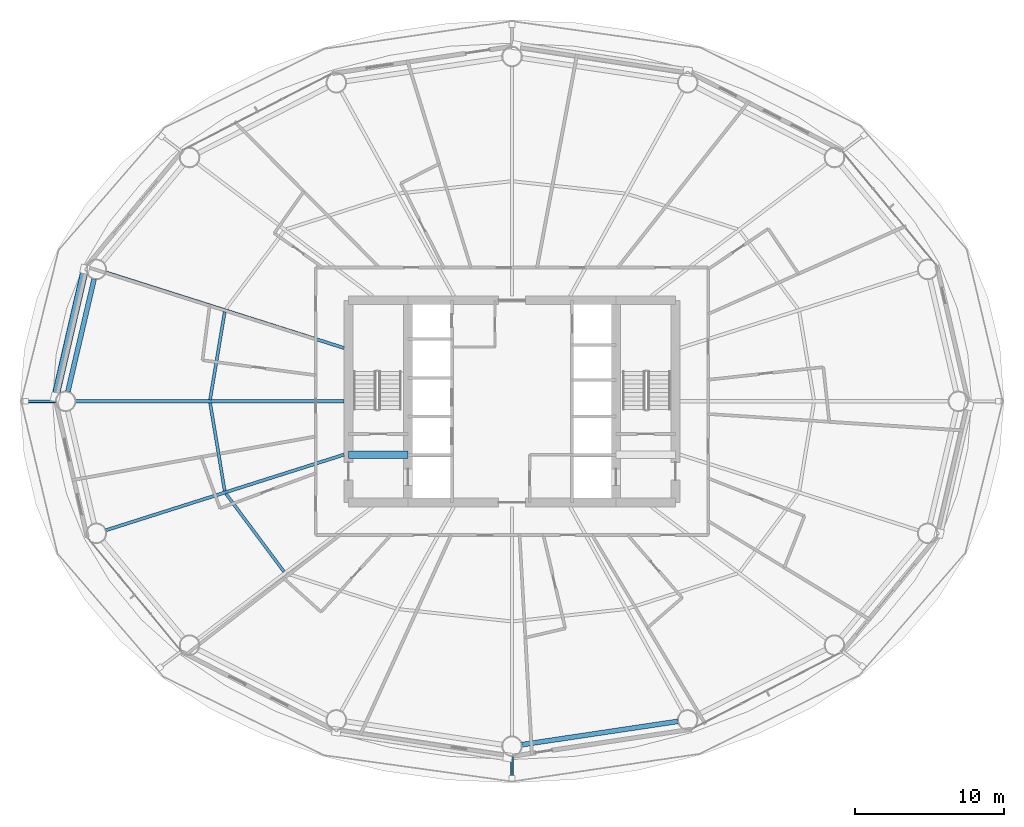
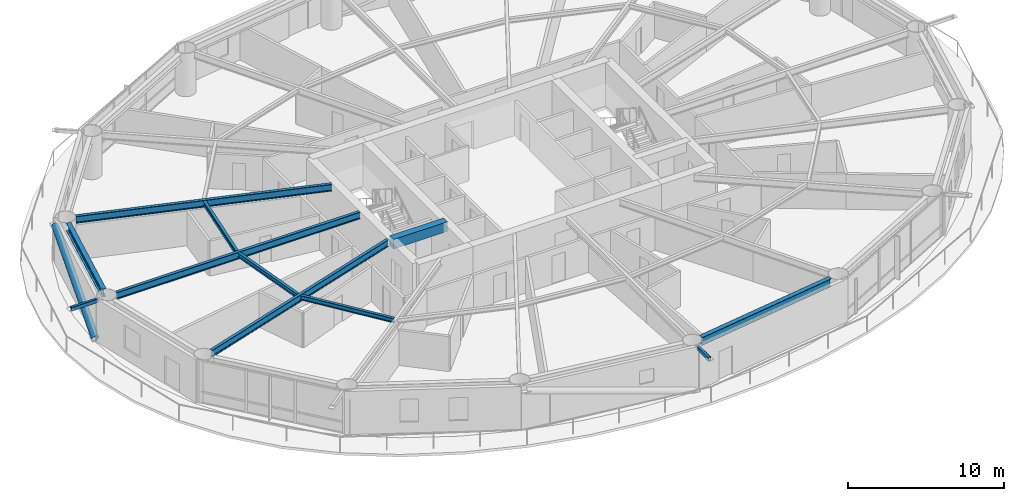
# One storey, part 5 of 26: 9 beams, 3 members.
"""IFC4 building model written with IfcOpenShell, lengths in metres."""

import ifcopenshell
import ifcopenshell.guid

model = None  # the IFC model being written
_history = None  # IfcOwnerHistory: only IFC2X3 demands one
_inside = {}  # id of a spatial element -> (the spatial element, [elements in it])
_under = {}  # id of a project, library or spatial element -> (it, [spatial elements below it])
_declared = {}  # id of a project -> (the project, [libraries it declares])
_typed = {}  # id of a type object -> (the type object, [elements of that type])
_made_of = {}  # id of a material, layer set ... -> (it, [elements and type objects made of it])


def new_model(schema):
    """Start an empty IFC model of exactly this schema.

    Asked for "IFC4X3", IfcOpenShell would pick the latest addendum, in which some entities
    have other attributes; the version numbers below select the first issue.
    IFC2X3 requires an IfcOwnerHistory on every rooted entity: one is made here for all.
    """
    global model, _history
    if schema == "IFC4X3":
        model = ifcopenshell.file(schema_version=(4, 3, 0, 0))
    else:
        model = ifcopenshell.file(schema=schema)
    _inside.clear()
    _under.clear()
    _declared.clear()
    _typed.clear()
    _made_of.clear()
    _history = None
    if model.schema == "IFC2X3":
        org = make("IfcOrganization", Name="unknown")
        user = make(
            "IfcPersonAndOrganization",
            ThePerson=make("IfcPerson", FamilyName="unknown"),
            TheOrganization=org,
        )
        app = make(
            "IfcApplication",
            ApplicationDeveloper=org,
            Version="unknown",
            ApplicationFullName="unknown",
            ApplicationIdentifier="unknown",
        )
        _history = make(
            "IfcOwnerHistory",
            OwningUser=user,
            OwningApplication=app,
            ChangeAction="ADDED",
            CreationDate=0,
        )
    return model


def make(cls, **values):
    """One entity of the class cls with the attributes given. An attribute that is None is left unset."""
    return model.create_entity(
        cls, **{name: value for name, value in values.items() if value is not None}
    )


def rooted(cls, **values):
    """An entity with a GlobalId (a new one), such as an element, a storey or a relation."""
    return make(cls, GlobalId=ifcopenshell.guid.new(), OwnerHistory=_history, **values)


def si_unit(unit_type, name, prefix=None):
    """IfcSIUnit, for example si_unit("LENGTHUNIT", "METRE", prefix="MILLI")."""
    return make("IfcSIUnit", UnitType=unit_type, Prefix=prefix, Name=name)


def assignment(units):
    """IfcUnitAssignment: the units of a project."""
    return None if units is None else make("IfcUnitAssignment", Units=units)


def point(xyz):
    """IfcCartesianPoint."""
    return None if xyz is None else make("IfcCartesianPoint", Coordinates=xyz)


def direction(xyz):
    """IfcDirection."""
    return None if xyz is None else make("IfcDirection", DirectionRatios=xyz)


def frame(location, z_axis=None, x_axis=None):
    """IfcAxis2Placement3D, a coordinate frame: its origin and axes. An axis left out is left unset."""
    return make(
        "IfcAxis2Placement3D",
        Location=point(location),
        Axis=direction(z_axis),
        RefDirection=direction(x_axis),
    )


def frame_2d(location, x_axis=None):
    """IfcAxis2Placement2D, a coordinate frame in the plane: its origin and x axis."""
    return make(
        "IfcAxis2Placement2D", Location=point(location), RefDirection=direction(x_axis)
    )


def origin():
    """The frame at (0, 0, 0) with its axes left unset."""
    return frame((0.0, 0.0, 0.0))


def origin_2d():
    """The frame at (0, 0) in the plane with its x axis left unset."""
    return frame_2d((0.0, 0.0))


def place(relative_to, where):
    """IfcLocalPlacement: puts the frame where relative to a parent placement (None: the world)."""
    return make(
        "IfcLocalPlacement", PlacementRelTo=relative_to, RelativePlacement=where
    )


def context(
    kind, dimensions, precision=None, world=None, true_north=None, identifier=None
):
    """IfcGeometricRepresentationContext, for example the 3D "Model" context."""
    return make(
        "IfcGeometricRepresentationContext",
        ContextIdentifier=identifier,
        ContextType=kind,
        CoordinateSpaceDimension=dimensions,
        Precision=precision,
        WorldCoordinateSystem=world,
        TrueNorth=true_north,
    )


def subcontext(parent, identifier, kind, view, scale=None):
    """IfcGeometricRepresentationSubContext, for example "Body" below "Model"."""
    return make(
        "IfcGeometricRepresentationSubContext",
        ContextIdentifier=identifier,
        ContextType=kind,
        ParentContext=parent,
        TargetScale=scale,
        TargetView=view,
    )


def project(units=None, contexts=None):
    """IfcProject with its units and contexts."""
    return rooted(
        "IfcProject",
        Name="project",
        RepresentationContexts=contexts,
        UnitsInContext=assignment(units),
    )


def spatial(cls, under=None, at=None, **own):
    """A site, building, storey or space (cls), placed at a placement, below another one or the project."""
    s = rooted(cls, ObjectPlacement=at, **own)
    if under is not None:
        _under.setdefault(under.id(), (under, []))[1].append(s)
    return s


def profile(cls, at=None, kind="AREA", **sizes):
    """A parametric profile (cls). Its sizes go by their IFC names, for example OverallWidth=200.0."""
    return make(cls, ProfileType=kind, Position=at, **sizes)


def rectangle(**sizes):
    """IfcRectangleProfileDef."""
    return profile("IfcRectangleProfileDef", **sizes)


def hollow_rectangle(**sizes):
    """IfcRectangleHollowProfileDef."""
    return profile("IfcRectangleHollowProfileDef", **sizes)


def hollow_circle(**sizes):
    """IfcCircleHollowProfileDef."""
    return profile("IfcCircleHollowProfileDef", **sizes)


def i_section(**sizes):
    """IfcIShapeProfileDef."""
    return profile("IfcIShapeProfileDef", **sizes)


def extrude(swept, where, along, depth):
    """IfcExtrudedAreaSolid: the profile swept, set in the frame where, extruded along a direction by depth."""
    return make(
        "IfcExtrudedAreaSolid",
        SweptArea=swept,
        Position=where,
        ExtrudedDirection=direction(along),
        Depth=depth,
    )


def shape(context_of_items, identifier, shape_type, items):
    """IfcShapeRepresentation: the items that make up one representation, for example the "Body"."""
    return make(
        "IfcShapeRepresentation",
        ContextOfItems=context_of_items,
        RepresentationIdentifier=identifier,
        RepresentationType=shape_type,
        Items=items,
    )


def material(Name=None, Category=None):
    """IfcMaterial."""
    return make("IfcMaterial", Name=Name, Category=Category)


def material_profile(
    of_material, cross_section, Name=None, Category=None, Priority=None
):
    """IfcMaterialProfile: a cross section and its material."""
    return make(
        "IfcMaterialProfile",
        Name=Name,
        Material=of_material,
        Profile=cross_section,
        Priority=Priority,
        Category=Category,
    )


def profile_set(profiles, Name=None, composite=None):
    """IfcMaterialProfileSet."""
    return make(
        "IfcMaterialProfileSet",
        Name=Name,
        MaterialProfiles=profiles,
        CompositeProfile=composite,
    )


def made_of(thing, what):
    """Note that an element or type object is made of a material, layer set ...; save() writes the relation."""
    if what is not None:
        _made_of.setdefault(what.id(), (what, []))[1].append(thing)
    return thing


def type_object(cls, material=None, **own):
    """A type object (cls), such as IfcWallType, which elements share."""
    return made_of(rooted(cls, **own), material)


def element(
    cls,
    number,
    at=None,
    inside=None,
    cuts=None,
    type_object=None,
    material=None,
    context=None,
    identifier="Body",
    shape_type=None,
    held_by="IfcProductDefinitionShape",
    body=None,
    shapes=None,
    **own,
):
    """One element of the class cls, such as IfcWall. Its Tag is "e" and its number.

    at: its placement. inside: the storey or other place that contains it. cuts: it is an
    opening in that element (IfcRelVoidsElement). A single representation is given by context,
    identifier, shape_type and body (its items); several are given by shapes. held_by: the class
    of the entity that holds the representations. save() writes the other relations.
    """
    e = rooted(cls, Tag="e%d" % number, ObjectPlacement=at, **own)
    if body is not None:
        shapes = [shape(context, identifier, shape_type, body)]
    if shapes is not None:
        e.Representation = make(held_by, Representations=shapes)
    if inside is not None:
        _inside.setdefault(inside.id(), (inside, []))[1].append(e)
    if cuts is not None:
        rooted(
            "IfcRelVoidsElement", RelatingBuildingElement=cuts, RelatedOpeningElement=e
        )
    if type_object is not None:
        _typed.setdefault(type_object.id(), (type_object, []))[1].append(e)
    return made_of(e, material)


def aggregate(whole, parts):
    """IfcRelAggregates: a whole, such as a stair, and the parts it consists of."""
    return rooted("IfcRelAggregates", RelatingObject=whole, RelatedObjects=parts)


def save(model, path):
    """Write the relations noted so far, then the file.

    IfcRelAggregates (storeys below a building ...), IfcRelContainedInSpatialStructure (elements
    in a storey), IfcRelDefinesByType, IfcRelAssociatesMaterial and IfcRelDeclares: one each for
    every whole, place, type object, material and project.
    """
    for whole, parts in _under.values():
        aggregate(whole, parts)
    for where, things in _inside.values():
        rooted(
            "IfcRelContainedInSpatialStructure",
            RelatedElements=things,
            RelatingStructure=where,
        )
    for kind, things in _typed.values():
        rooted("IfcRelDefinesByType", RelatedObjects=things, RelatingType=kind)
    for what, things in _made_of.values():
        rooted("IfcRelAssociatesMaterial", RelatedObjects=things, RelatingMaterial=what)
    for by, libraries in _declared.values():
        rooted("IfcRelDeclares", RelatingContext=by, RelatedDefinitions=libraries)
    model.write(path)


model = new_model("IFC4")

# Units and contexts
model_context = context("Model", 3, precision=1e-05, world=origin(), true_north=direction((0.0, 1.0)))
body_context = subcontext(model_context, "Body", "Model", "MODEL_VIEW")
ifc_project = project(units=[si_unit("LENGTHUNIT", "METRE"), si_unit("AREAUNIT", "SQUARE_METRE"), si_unit("VOLUMEUNIT", "CUBIC_METRE"), si_unit("PLANEANGLEUNIT", "RADIAN"), si_unit("MASSUNIT", "GRAM", prefix="KILO")], contexts=[model_context])

# Site, building, storey
site_placement = place(None, origin())
site = spatial("IfcSite", under=ifc_project, at=site_placement, CompositionType="ELEMENT")
building_placement = place(site_placement, origin())
building = spatial("IfcBuilding", under=site, at=building_placement, Name="Sarneth Arch Tower", CompositionType="ELEMENT")
storey_placement = place(building_placement, frame((0.0, 0.0, 49.800048828125)))
storey = spatial("IfcBuildingStorey", under=building, at=storey_placement, Name="L11", CompositionType="ELEMENT", Elevation=49.800048828125)

# Beams
ifc_material_1 = material(Name="Steel S355", Category="steel")
ifc_material_profile_1 = material_profile(ifc_material_1, i_section(OverallWidth=0.2041015625, OverallDepth=0.35009765625, WebThickness=0.008544921875, FlangeThickness=0.01513671875, FilletRadius=0.014892578125, at=origin_2d()), Name="W360x72")
ifc_profile_set_1 = profile_set([ifc_material_profile_1], Name="Steel S355")
beam_type_1 = type_object("IfcBeamType", Name="BM-JOIST-360D", PredefinedType="JOIST", material=ifc_profile_set_1)
for number, where, z_axis, x_axis, name in (
    (1, (28.67138671875, 48.025146484375, 3.204833984375), (-0.163917352659, -0.986474075431, 0.0), (0.986474075431, -0.163917352659, 0.0), "L11 Secondary floor joist 08"),
    (2, (27.687744140625, 41.89453125, 3.204833984375), (0.163917352659, -0.986474075431, 0.0), (0.986474075431, 0.163917352659, 0.0), "L11 Secondary floor joist 09"),
):
    element("IfcBeam", number, at=place(storey_placement, frame(where, z_axis=z_axis, x_axis=x_axis)), inside=storey, type_object=beam_type_1, Name=name, PredefinedType="JOIST", context=body_context, shape_type="SweptSolid", body=[
        extrude(i_section(OverallWidth=0.2041015625, OverallDepth=0.35009765625, WebThickness=0.008544921875, FlangeThickness=0.01513671875, FilletRadius=0.014892578125, at=origin_2d()), origin(), (0.0, 0.0, 1.0), 6.000732421875),
    ])
beam_1_placement = place(storey_placement, frame((28.7529296875, 35.783447265625, 3.204833984375), z_axis=(0.597453564101, -0.801903509621, 0.0), x_axis=(0.801903509621, 0.597453564101, 0.0)))
element("IfcBeam", 3, at=beam_1_placement, inside=storey, type_object=beam_type_1, Name="L11 Secondary floor joist 10", PredefinedType="JOIST", context=body_context, shape_type="SweptSolid", body=[
    extrude(i_section(OverallWidth=0.2041015625, OverallDepth=0.35009765625, WebThickness=0.008544921875, FlangeThickness=0.01513671875, FilletRadius=0.014892578125, at=origin_2d()), origin(), (0.0, 0.0, 1.0), 6.542724609375),
])
ifc_material_2 = material(Name="Concrete C50/60", Category="concrete")
ifc_material_profile_2 = material_profile(ifc_material_2, rectangle(XDim=0.5, YDim=0.75, at=origin_2d()), Name="RC-500x750")
ifc_profile_set_2 = profile_set([ifc_material_profile_2], Name="Concrete C50/60")
beam_type_2 = type_object("IfcBeamType", Name="BM-LINTEL-RC", PredefinedType="LINTEL", material=ifc_profile_set_2)
beam_2_placement = place(storey_placement, frame((37.0, 38.39990234375, 3.0048828125), z_axis=(1.0, 0.0, 0.0), x_axis=(0.0, 1.0, 0.0)))
element("IfcBeam", 4, at=beam_2_placement, inside=storey, type_object=beam_type_2, Name="L11 Core coupling lintel W", PredefinedType="LINTEL", context=body_context, shape_type="SweptSolid", body=[
    extrude(rectangle(XDim=0.5, YDim=0.75, at=origin_2d()), origin(), (0.0, 0.0, 1.0), 4.0),
])
ifc_material_3 = material(Name="Steel S355", Category="steel")
ifc_material_profile_3 = material_profile(ifc_material_3, i_section(OverallWidth=0.214111328125, OverallDepth=0.549072265625, WebThickness=0.0146484375, FlangeThickness=0.023681640625, FilletRadius=0.01806640625, at=origin_2d()), Name="W530x138")
ifc_profile_set_3 = profile_set([ifc_material_profile_3], Name="Steel S355")
beam_type_3 = type_object("IfcBeamType", Name="BM-RAD-530A", PredefinedType="BEAM", material=ifc_profile_set_3)
beam_3_placement = place(storey_placement, frame((36.699951171875, 45.58740234375, 3.10546875), z_axis=(-0.953119945629, 0.302592744864, 0.0), x_axis=(-0.302592744864, -0.953119945629, 0.0)))
element("IfcBeam", 5, at=beam_3_placement, inside=storey, type_object=beam_type_3, Name="L11 Radial floor girder 08", PredefinedType="BEAM", context=body_context, shape_type="SweptSolid", body=[
    extrude(i_section(OverallWidth=0.214111328125, OverallDepth=0.549072265625, WebThickness=0.0146484375, FlangeThickness=0.023681640625, FilletRadius=0.01806640625, at=origin_2d()), origin(), (0.0, 0.0, 1.0), 16.810302734375),
])
beam_4_placement = place(storey_placement, frame((36.699951171875, 42.0, 3.10546875), z_axis=(-1.0, 0.0, 0.0), x_axis=(0.0, -1.0, 0.0)))
element("IfcBeam", 6, at=beam_4_placement, inside=storey, type_object=beam_type_3, Name="L11 Radial floor girder 09", PredefinedType="BEAM", context=body_context, shape_type="SweptSolid", body=[
    extrude(i_section(OverallWidth=0.214111328125, OverallDepth=0.549072265625, WebThickness=0.0146484375, FlangeThickness=0.023681640625, FilletRadius=0.01806640625, at=origin_2d()), origin(), (0.0, 0.0, 1.0), 18.059814453125),
])
beam_5_placement = place(storey_placement, frame((36.699951171875, 38.41259765625, 3.10546875), z_axis=(-0.953119945629, -0.302592744864, 0.0), x_axis=(0.302592744864, -0.953119945629, 0.0)))
element("IfcBeam", 7, at=beam_5_placement, inside=storey, type_object=beam_type_3, Name="L11 Radial floor girder 10", PredefinedType="BEAM", context=body_context, shape_type="SweptSolid", body=[
    extrude(i_section(OverallWidth=0.214111328125, OverallDepth=0.549072265625, WebThickness=0.0146484375, FlangeThickness=0.023681640625, FilletRadius=0.01806640625, at=origin_2d()), origin(), (0.0, 0.0, 1.0), 16.810302734375),
])
ifc_material_4 = material(Name="Steel S355", Category="steel")
ifc_material_profile_4 = material_profile(ifc_material_4, i_section(OverallWidth=0.326904296875, OverallDepth=0.6220703125, WebThickness=0.015380859375, FlangeThickness=0.0244140625, FilletRadius=0.01904296875, at=origin_2d()), Name="W610x195")
ifc_profile_set_4 = profile_set([ifc_material_profile_4], Name="Steel S355")
beam_type_4 = type_object("IfcBeamType", Name="BM-SPAN-610A", PredefinedType="SPANDREL", material=ifc_profile_set_4)
beam_6_placement = place(storey_placement, frame((19.88134765625, 50.220947265625, 3.06884765625), z_axis=(-0.227001042423, -0.973894515201, 0.0), x_axis=(0.973894515201, -0.227001042423, 0.0)))
element("IfcBeam", 8, at=beam_6_placement, inside=storey, type_object=beam_type_4, Name="L11 Perimeter spandrel beam 08", PredefinedType="SPANDREL", context=body_context, shape_type="SweptSolid", body=[
    extrude(i_section(OverallWidth=0.326904296875, OverallDepth=0.6220703125, WebThickness=0.015380859375, FlangeThickness=0.0244140625, FilletRadius=0.01904296875, at=origin_2d()), origin(), (0.0, 0.0, 1.0), 7.76611328125),
])
beam_7_placement = place(storey_placement, frame((48.66748046875, 18.899658203125, 3.06884765625), z_axis=(0.989015788086, 0.147809914809, 0.0), x_axis=(-0.147809914809, 0.989015788086, 0.0)))
element("IfcBeam", 9, at=beam_7_placement, inside=storey, type_object=beam_type_4, Name="L11 Perimeter spandrel beam 13", PredefinedType="SPANDREL", context=body_context, shape_type="SweptSolid", body=[
    extrude(i_section(OverallWidth=0.326904296875, OverallDepth=0.6220703125, WebThickness=0.015380859375, FlangeThickness=0.0244140625, FilletRadius=0.01904296875, at=origin_2d()), origin(), (0.0, 0.0, 1.0), 10.59912109375),
])

# Members
ifc_material_5 = material(Name="Steel S355", Category="steel")
ifc_material_profile_5 = material_profile(ifc_material_5, hollow_rectangle(XDim=0.199951171875, YDim=0.300048828125, WallThickness=0.012451171875, InnerFilletRadius=0.018798828125, OuterFilletRadius=0.03125, at=origin_2d()), Name="RHS300x200x12.5")
ifc_profile_set_5 = profile_set([ifc_material_profile_5], Name="Steel S355")
member_type_1 = type_object("IfcMemberType", Name="MEM-CANT-STRUT", PredefinedType="STRUT", material=ifc_profile_set_5)
member_1_placement = place(storey_placement, frame((17.290283203125, 42.0, 3.219970703125), z_axis=(-1.0, 0.0, 0.0), x_axis=(0.0, -1.0, 0.0)))
element("IfcMember", 10, at=member_1_placement, inside=storey, type_object=member_type_1, Name="L11 Balcony cantilever bracket 09", PredefinedType="STRUT", context=body_context, shape_type="SweptSolid", body=[
    extrude(hollow_rectangle(XDim=0.199951171875, YDim=0.300048828125, WallThickness=0.012451171875, InnerFilletRadius=0.018798828125, OuterFilletRadius=0.03125, at=origin_2d()), origin(), (0.0, 0.0, 1.0), 2.016845703125),
])
member_2_placement = place(storey_placement, frame((48.0, 18.125, 3.219970703125), z_axis=(0.0, -1.0, 0.0), x_axis=(1.0, 0.0, 0.0)))
element("IfcMember", 11, at=member_2_placement, inside=storey, type_object=member_type_1, Name="L11 Balcony cantilever bracket 13", PredefinedType="STRUT", context=body_context, shape_type="SweptSolid", body=[
    extrude(hollow_rectangle(XDim=0.199951171875, YDim=0.300048828125, WallThickness=0.012451171875, InnerFilletRadius=0.018798828125, OuterFilletRadius=0.03125, at=origin_2d()), origin(), (0.0, 0.0, 1.0), 1.483154296875),
])
ifc_material_6 = material(Name="Steel S355", Category="steel")
ifc_material_profile_6 = material_profile(ifc_material_6, hollow_circle(Radius=0.25390625, WallThickness=0.01611328125, at=origin_2d()), Name="CHS508x16")
ifc_profile_set_6 = profile_set([ifc_material_profile_6], Name="Steel S355")
member_type_2 = type_object("IfcMemberType", Name="MEM-DIAG-BR1", PredefinedType="BRACE", material=ifc_profile_set_6)
member_3_placement = place(storey_placement, frame((17.274658203125, 42.292236328125, 0.02001953125), z_axis=(0.213332307958, 0.922814312474, 0.320785085492), x_axis=(-0.974304339016, 0.225235554419, 0.0)))
element("IfcMember", 12, at=member_3_placement, inside=storey, type_object=member_type_2, Name="L11 Perimeter frame diagonal 08", PredefinedType="BRACE", context=body_context, shape_type="SweptSolid", body=[
    extrude(hollow_circle(Radius=0.25390625, WallThickness=0.01611328125, at=origin_2d()), origin(), (0.0, 0.0, 1.0), 9.31103515625),
])

save(model, "model.ifc")
